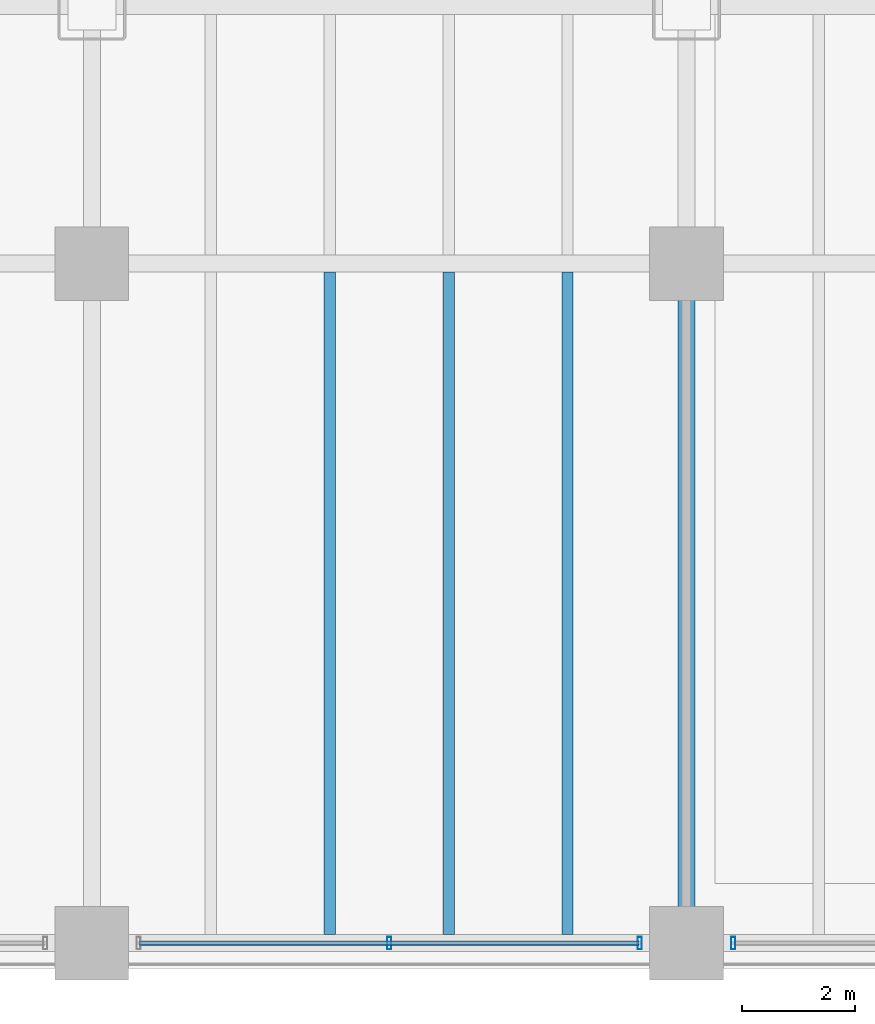
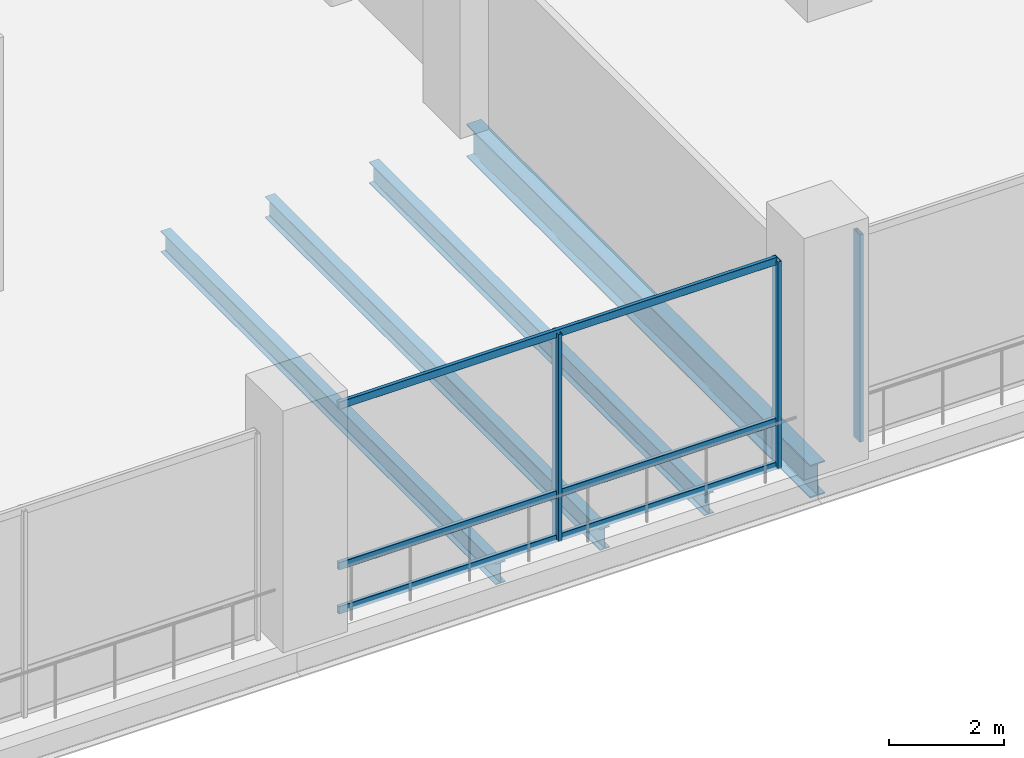
# One storey, part 6 of 30: 6 members, 4 beams, 2 elements without a shape of their own.
"""IFC4 building model written with IfcOpenShell, lengths in metres."""

from ifc_helpers import new_model, si_unit, direction, frame, origin, origin_2d, place, context, subcontext, project, spatial, hollow_rectangle, i_section, extrude, material, material_profile, profile_set, type_object, element, aggregate, save


model = new_model("IFC4")

# Units and contexts
model_context = context("Model", 3, precision=1e-05, world=origin(), true_north=direction((0.0, 1.0)))
body_context = subcontext(model_context, "Body", "Model", "MODEL_VIEW")
ifc_project = project(units=[si_unit("LENGTHUNIT", "METRE"), si_unit("AREAUNIT", "SQUARE_METRE"), si_unit("VOLUMEUNIT", "CUBIC_METRE"), si_unit("PLANEANGLEUNIT", "RADIAN"), si_unit("MASSUNIT", "GRAM", prefix="KILO")], contexts=[model_context])

# Site, building, storey
site_placement = place(None, origin())
site = spatial("IfcSite", under=ifc_project, at=site_placement, CompositionType="ELEMENT")
building_placement = place(site_placement, origin())
building = spatial("IfcBuilding", under=site, at=building_placement, Name="Noeulbin Bourse Tower", CompositionType="ELEMENT")
storey_placement = place(building_placement, frame((0.0, 0.0, 16.60009765625)))
storey = spatial("IfcBuildingStorey", under=building, at=storey_placement, Name="L04", CompositionType="ELEMENT", Elevation=16.60009765625)

# Beams
ifc_material_1 = material(Name="Steel S355", Category="steel")
ifc_material_profile_1 = material_profile(ifc_material_1, i_section(OverallWidth=0.300048828125, OverallDepth=0.699951171875, WebThickness=0.012939453125, FlangeThickness=0.02392578125, FilletRadius=0.02392578125, at=origin_2d()), Name="H-700x300x13x24", Category="LoadBearing")
ifc_profile_set_1 = profile_set([ifc_material_profile_1], Name="Steel S355")
beam_type_1 = type_object("IfcBeamType", Name="BM-GRD-700", PredefinedType="USERDEFINED", material=ifc_profile_set_1)
beam_placement = place(storey_placement, frame((24.0, 3.449951171875, -0.60009765625), z_axis=(0.0, 1.0, 0.0), x_axis=(-1.0, 0.0, 0.0)))
element("IfcBeam", 1, at=beam_placement, inside=storey, type_object=beam_type_1, Name="Podium Primary Girder NS L04-075", ObjectType="GIRDER", PredefinedType="USERDEFINED", context=body_context, shape_type="SweptSolid", body=[
    extrude(i_section(OverallWidth=0.300048828125, OverallDepth=0.699951171875, WebThickness=0.012939453125, FlangeThickness=0.02392578125, FilletRadius=0.02392578125, at=origin_2d()), origin(), (0.0, 0.0, 1.0), 12.0),
])
ifc_material_profile_2 = material_profile(ifc_material_1, i_section(OverallWidth=0.199951171875, OverallDepth=0.449951171875, WebThickness=0.009033203125, FlangeThickness=0.013916015625, FilletRadius=0.01806640625, at=origin_2d()), Name="H-450x200x9x14", Category="LoadBearing")
ifc_profile_set_2 = profile_set([ifc_material_profile_2], Name="Steel S355")
beam_type_2 = type_object("IfcBeamType", Name="BM-SEC-450", PredefinedType="BEAM", material=ifc_profile_set_2)
for number, where, z_axis, x_axis, name in (
    (2, (17.699951171875, 3.60009765625, -0.47509765625), (0.0, 1.0, 0.0), (-1.0, 0.0, 0.0), "Podium Secondary Beam L04-028"),
    (3, (19.800048828125, 3.60009765625, -0.47509765625), (0.0, 1.0, 0.0), (-1.0, 0.0, 0.0), "Podium Secondary Beam L04-033"),
    (4, (21.89990234375, 3.60009765625, -0.47509765625), (0.0, 1.0, 0.0), (-1.0, 0.0, 0.0), "Podium Secondary Beam L04-038"),
):
    element("IfcBeam", number, at=place(storey_placement, frame(where, z_axis=z_axis, x_axis=x_axis)), inside=storey, type_object=beam_type_2, Name=name, PredefinedType="BEAM", context=body_context, shape_type="SweptSolid", body=[
        extrude(i_section(OverallWidth=0.199951171875, OverallDepth=0.449951171875, WebThickness=0.009033203125, FlangeThickness=0.013916015625, FilletRadius=0.01806640625, at=origin_2d()), origin(), (0.0, 0.0, 1.0), 11.699951171875),
    ])

# Curtain wall, members
ifc_material_2 = material(Name="Laminated Clear Low-E Glass", Category="glass")
curtain_wall_type = type_object("IfcCurtainWallType", Name="CW-SYS-1", PredefinedType="NOTDEFINED", material=ifc_material_2)
curtain_wall_1_placement = place(storey_placement, origin())
curtain_wall_1 = element("IfcCurtainWall", 5, at=curtain_wall_1_placement, inside=storey, type_object=curtain_wall_type, Name="Unitised Curtain Wall CW-L04-POD-S-S2", PredefinedType="NOTDEFINED")
ifc_material_3 = material(Name="Anodised Aluminium 6063-T6", Category="aluminium")
ifc_material_profile_3 = material_profile(ifc_material_3, hollow_rectangle(XDim=0.074951171875, YDim=0.219970703125, WallThickness=0.0048828125, InnerFilletRadius=0.00244140625, OuterFilletRadius=0.0048828125, at=origin_2d()), Name="ALU-MULL-75x220x5", Category="LoadBearing")
ifc_profile_set_3 = profile_set([ifc_material_profile_3], Name="Anodised Aluminium 6063-T6")
member_type_1 = type_object("IfcMemberType", Name="CW-SYS-1-MUL", PredefinedType="MULLION", material=ifc_profile_set_3)
member_1_placement = place(storey_placement, frame((18.75, 3.449951171875, -0.02001953125), z_axis=(0.0, 0.0, 1.0), x_axis=(1.0, 0.0, 0.0)))
member_1 = element("IfcMember", 6, at=member_1_placement, type_object=member_type_1, Name="Curtain Wall Mullion CW-L04-POD-S-S2-M01", PredefinedType="MULLION", context=body_context, shape_type="SweptSolid", body=[
    extrude(hollow_rectangle(XDim=0.074951171875, YDim=0.219970703125, WallThickness=0.0048828125, InnerFilletRadius=0.00244140625, OuterFilletRadius=0.0048828125, at=origin_2d()), origin(), (0.0, 0.0, 1.0), 4.419921875),
])
member_2_placement = place(storey_placement, frame((23.175048828125, 3.449951171875, -0.02001953125), z_axis=(0.0, 0.0, 1.0), x_axis=(1.0, 0.0, 0.0)))
member_2 = element("IfcMember", 7, at=member_2_placement, type_object=member_type_1, Name="Curtain Wall Mullion CW-L04-POD-S-S2-M02", PredefinedType="MULLION", context=body_context, shape_type="SweptSolid", body=[
    extrude(hollow_rectangle(XDim=0.074951171875, YDim=0.219970703125, WallThickness=0.0048828125, InnerFilletRadius=0.00244140625, OuterFilletRadius=0.0048828125, at=origin_2d()), origin(), (0.0, 0.0, 1.0), 4.419921875),
])

# Curtain wall, member
curtain_wall_2_placement = place(storey_placement, origin())
curtain_wall_2 = element("IfcCurtainWall", 8, at=curtain_wall_2_placement, inside=storey, type_object=curtain_wall_type, Name="Unitised Curtain Wall CW-L04-POD-S-S3", PredefinedType="NOTDEFINED")
member_3_placement = place(storey_placement, frame((24.824951171875, 3.449951171875, -0.02001953125), z_axis=(0.0, 0.0, 1.0), x_axis=(1.0, 0.0, 0.0)))
member_3 = element("IfcMember", 9, at=member_3_placement, type_object=member_type_1, Name="Curtain Wall Mullion CW-L04-POD-S-S3-M00", PredefinedType="MULLION", context=body_context, shape_type="SweptSolid", body=[
    extrude(hollow_rectangle(XDim=0.074951171875, YDim=0.219970703125, WallThickness=0.0048828125, InnerFilletRadius=0.00244140625, OuterFilletRadius=0.0048828125, at=origin_2d()), origin(), (0.0, 0.0, 1.0), 4.419921875),
])
aggregate(curtain_wall_2, [member_3])

# Member
ifc_material_profile_4 = material_profile(ifc_material_3, hollow_rectangle(XDim=0.074951171875, YDim=0.159912109375, WallThickness=0.0048828125, InnerFilletRadius=0.00244140625, OuterFilletRadius=0.0048828125, at=origin_2d()), Name="ALU-TRAN-75x160x5", Category="LoadBearing")
ifc_profile_set_4 = profile_set([ifc_material_profile_4], Name="Anodised Aluminium 6063-T6")
member_type_2 = type_object("IfcMemberType", Name="CW-SYS-1-TRN", PredefinedType="USERDEFINED", material=ifc_profile_set_4)
member_4_placement = place(storey_placement, frame((14.3349609375, 3.449951171875, 0.010009765625), z_axis=(1.0, 0.0, 0.0), x_axis=(0.0, 1.0, 0.0)))
member_4 = element("IfcMember", 10, at=member_4_placement, type_object=member_type_2, Name="Curtain Wall Transom CW-L04-POD-S-S2-T00", ObjectType="TRANSOM", PredefinedType="USERDEFINED", context=body_context, shape_type="SweptSolid", body=[
    extrude(hollow_rectangle(XDim=0.074951171875, YDim=0.159912109375, WallThickness=0.0048828125, InnerFilletRadius=0.00244140625, OuterFilletRadius=0.0048828125, at=origin_2d()), origin(), (0.0, 0.0, 1.0), 8.830078125),
])

member_5_placement = place(storey_placement, frame((14.3349609375, 3.449951171875, 0.949951171875), z_axis=(1.0, 0.0, 0.0), x_axis=(0.0, 1.0, 0.0)))
member_5 = element("IfcMember", 11, at=member_5_placement, type_object=member_type_2, Name="Curtain Wall Transom CW-L04-POD-S-S2-T01", ObjectType="TRANSOM", PredefinedType="USERDEFINED", context=body_context, shape_type="SweptSolid", body=[
    extrude(hollow_rectangle(XDim=0.074951171875, YDim=0.159912109375, WallThickness=0.0048828125, InnerFilletRadius=0.00244140625, OuterFilletRadius=0.0048828125, at=origin_2d()), origin(), (0.0, 0.0, 1.0), 8.830078125),
])

member_6_placement = place(storey_placement, frame((14.3349609375, 3.449951171875, 4.369873046875), z_axis=(1.0, 0.0, 0.0), x_axis=(0.0, 1.0, 0.0)))
member_6 = element("IfcMember", 12, at=member_6_placement, type_object=member_type_2, Name="Curtain Wall Transom CW-L04-POD-S-S2-T02", ObjectType="TRANSOM", PredefinedType="USERDEFINED", context=body_context, shape_type="SweptSolid", body=[
    extrude(hollow_rectangle(XDim=0.074951171875, YDim=0.159912109375, WallThickness=0.0048828125, InnerFilletRadius=0.00244140625, OuterFilletRadius=0.0048828125, at=origin_2d()), origin(), (0.0, 0.0, 1.0), 8.830078125),
])

aggregate(curtain_wall_1, [member_1, member_2, member_4, member_5, member_6])

save(model, "model.ifc")
